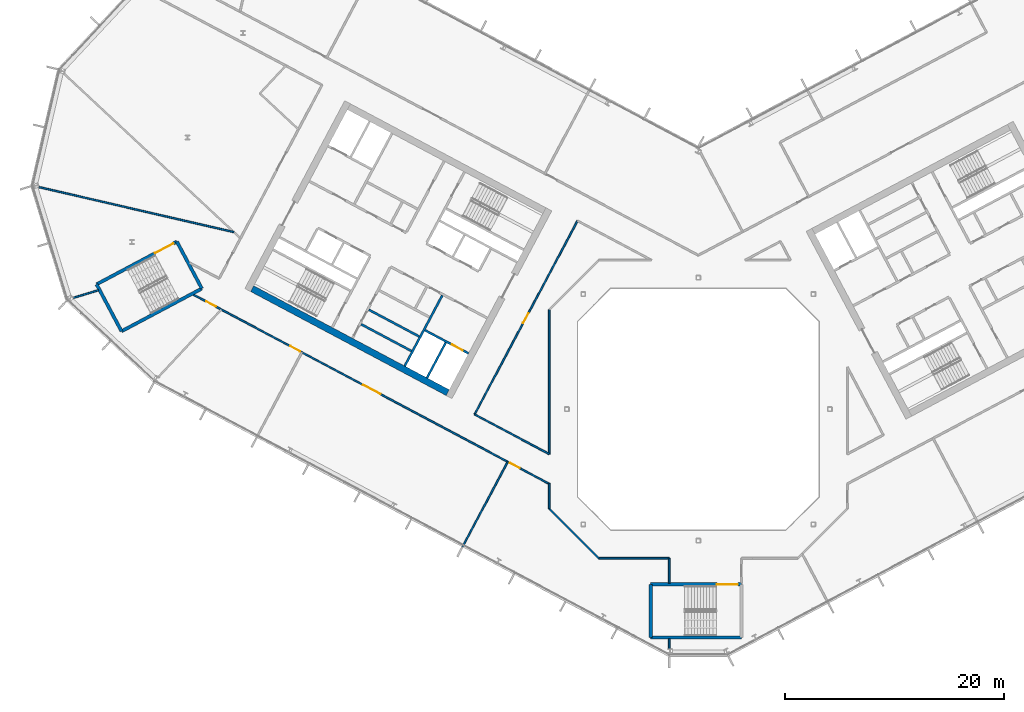
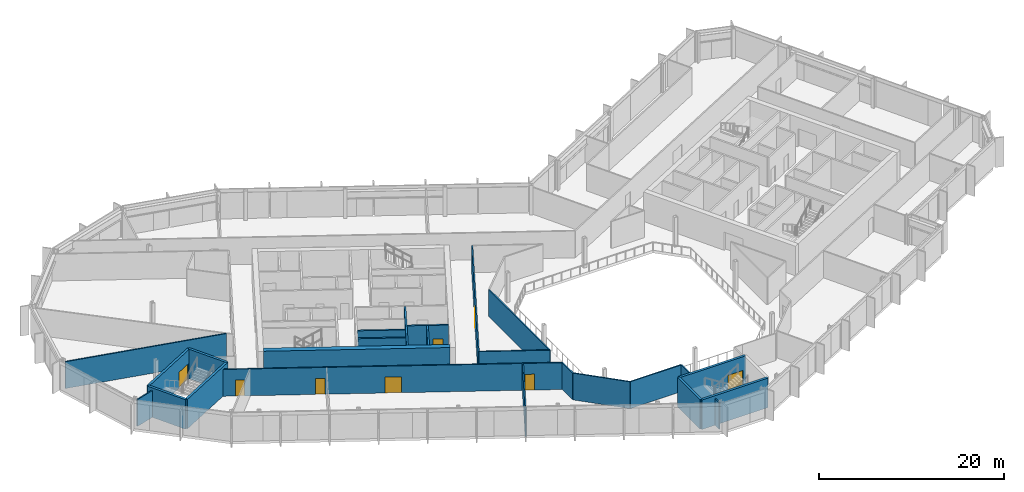
# One storey, part 12 of 26: 25 walls, 8 doors, 8 openings.
"""IFC4 building model written with IfcOpenShell, lengths in metres."""

import ifcopenshell
import ifcopenshell.guid

model = None  # the IFC model being written
_history = None  # IfcOwnerHistory: only IFC2X3 demands one
_inside = {}  # id of a spatial element -> (the spatial element, [elements in it])
_under = {}  # id of a project, library or spatial element -> (it, [spatial elements below it])
_declared = {}  # id of a project -> (the project, [libraries it declares])
_typed = {}  # id of a type object -> (the type object, [elements of that type])
_made_of = {}  # id of a material, layer set ... -> (it, [elements and type objects made of it])


def new_model(schema):
    """Start an empty IFC model of exactly this schema.

    Asked for "IFC4X3", IfcOpenShell would pick the latest addendum, in which some entities
    have other attributes; the version numbers below select the first issue.
    IFC2X3 requires an IfcOwnerHistory on every rooted entity: one is made here for all.
    """
    global model, _history
    if schema == "IFC4X3":
        model = ifcopenshell.file(schema_version=(4, 3, 0, 0))
    else:
        model = ifcopenshell.file(schema=schema)
    _inside.clear()
    _under.clear()
    _declared.clear()
    _typed.clear()
    _made_of.clear()
    _history = None
    if model.schema == "IFC2X3":
        org = make("IfcOrganization", Name="unknown")
        user = make(
            "IfcPersonAndOrganization",
            ThePerson=make("IfcPerson", FamilyName="unknown"),
            TheOrganization=org,
        )
        app = make(
            "IfcApplication",
            ApplicationDeveloper=org,
            Version="unknown",
            ApplicationFullName="unknown",
            ApplicationIdentifier="unknown",
        )
        _history = make(
            "IfcOwnerHistory",
            OwningUser=user,
            OwningApplication=app,
            ChangeAction="ADDED",
            CreationDate=0,
        )
    return model


def make(cls, **values):
    """One entity of the class cls with the attributes given. An attribute that is None is left unset."""
    return model.create_entity(
        cls, **{name: value for name, value in values.items() if value is not None}
    )


def rooted(cls, **values):
    """An entity with a GlobalId (a new one), such as an element, a storey or a relation."""
    return make(cls, GlobalId=ifcopenshell.guid.new(), OwnerHistory=_history, **values)


def si_unit(unit_type, name, prefix=None):
    """IfcSIUnit, for example si_unit("LENGTHUNIT", "METRE", prefix="MILLI")."""
    return make("IfcSIUnit", UnitType=unit_type, Prefix=prefix, Name=name)


def assignment(units):
    """IfcUnitAssignment: the units of a project."""
    return None if units is None else make("IfcUnitAssignment", Units=units)


def point(xyz):
    """IfcCartesianPoint."""
    return None if xyz is None else make("IfcCartesianPoint", Coordinates=xyz)


def direction(xyz):
    """IfcDirection."""
    return None if xyz is None else make("IfcDirection", DirectionRatios=xyz)


def frame(location, z_axis=None, x_axis=None):
    """IfcAxis2Placement3D, a coordinate frame: its origin and axes. An axis left out is left unset."""
    return make(
        "IfcAxis2Placement3D",
        Location=point(location),
        Axis=direction(z_axis),
        RefDirection=direction(x_axis),
    )


def frame_2d(location, x_axis=None):
    """IfcAxis2Placement2D, a coordinate frame in the plane: its origin and x axis."""
    return make(
        "IfcAxis2Placement2D", Location=point(location), RefDirection=direction(x_axis)
    )


def origin():
    """The frame at (0, 0, 0) with its axes left unset."""
    return frame((0.0, 0.0, 0.0))


def place(relative_to, where):
    """IfcLocalPlacement: puts the frame where relative to a parent placement (None: the world)."""
    return make(
        "IfcLocalPlacement", PlacementRelTo=relative_to, RelativePlacement=where
    )


def context(
    kind, dimensions, precision=None, world=None, true_north=None, identifier=None
):
    """IfcGeometricRepresentationContext, for example the 3D "Model" context."""
    return make(
        "IfcGeometricRepresentationContext",
        ContextIdentifier=identifier,
        ContextType=kind,
        CoordinateSpaceDimension=dimensions,
        Precision=precision,
        WorldCoordinateSystem=world,
        TrueNorth=true_north,
    )


def subcontext(parent, identifier, kind, view, scale=None):
    """IfcGeometricRepresentationSubContext, for example "Body" below "Model"."""
    return make(
        "IfcGeometricRepresentationSubContext",
        ContextIdentifier=identifier,
        ContextType=kind,
        ParentContext=parent,
        TargetScale=scale,
        TargetView=view,
    )


def project(units=None, contexts=None):
    """IfcProject with its units and contexts."""
    return rooted(
        "IfcProject",
        Name="project",
        RepresentationContexts=contexts,
        UnitsInContext=assignment(units),
    )


def spatial(cls, under=None, at=None, **own):
    """A site, building, storey or space (cls), placed at a placement, below another one or the project."""
    s = rooted(cls, ObjectPlacement=at, **own)
    if under is not None:
        _under.setdefault(under.id(), (under, []))[1].append(s)
    return s


def profile(cls, at=None, kind="AREA", **sizes):
    """A parametric profile (cls). Its sizes go by their IFC names, for example OverallWidth=200.0."""
    return make(cls, ProfileType=kind, Position=at, **sizes)


def rectangle(**sizes):
    """IfcRectangleProfileDef."""
    return profile("IfcRectangleProfileDef", **sizes)


def extrude(swept, where, along, depth):
    """IfcExtrudedAreaSolid: the profile swept, set in the frame where, extruded along a direction by depth."""
    return make(
        "IfcExtrudedAreaSolid",
        SweptArea=swept,
        Position=where,
        ExtrudedDirection=direction(along),
        Depth=depth,
    )


def shape(context_of_items, identifier, shape_type, items):
    """IfcShapeRepresentation: the items that make up one representation, for example the "Body"."""
    return make(
        "IfcShapeRepresentation",
        ContextOfItems=context_of_items,
        RepresentationIdentifier=identifier,
        RepresentationType=shape_type,
        Items=items,
    )


def material(Name=None, Category=None):
    """IfcMaterial."""
    return make("IfcMaterial", Name=Name, Category=Category)


def layer(
    of_material, thickness, ventilated=None, Name=None, Category=None, Priority=None
):
    """IfcMaterialLayer: one layer of a wall or slab, of a material (None: an air gap)."""
    return make(
        "IfcMaterialLayer",
        Material=of_material,
        LayerThickness=thickness,
        IsVentilated=ventilated,
        Name=Name,
        Category=Category,
        Priority=Priority,
    )


def layer_set(layers, Name=None):
    """IfcMaterialLayerSet."""
    return make("IfcMaterialLayerSet", MaterialLayers=layers, LayerSetName=Name)


def made_of(thing, what):
    """Note that an element or type object is made of a material, layer set ...; save() writes the relation."""
    if what is not None:
        _made_of.setdefault(what.id(), (what, []))[1].append(thing)
    return thing


def type_object(cls, material=None, **own):
    """A type object (cls), such as IfcWallType, which elements share."""
    return made_of(rooted(cls, **own), material)


def element(
    cls,
    number,
    at=None,
    inside=None,
    cuts=None,
    type_object=None,
    material=None,
    context=None,
    identifier="Body",
    shape_type=None,
    held_by="IfcProductDefinitionShape",
    body=None,
    shapes=None,
    **own,
):
    """One element of the class cls, such as IfcWall. Its Tag is "e" and its number.

    at: its placement. inside: the storey or other place that contains it. cuts: it is an
    opening in that element (IfcRelVoidsElement). A single representation is given by context,
    identifier, shape_type and body (its items); several are given by shapes. held_by: the class
    of the entity that holds the representations. save() writes the other relations.
    """
    e = rooted(cls, Tag="e%d" % number, ObjectPlacement=at, **own)
    if body is not None:
        shapes = [shape(context, identifier, shape_type, body)]
    if shapes is not None:
        e.Representation = make(held_by, Representations=shapes)
    if inside is not None:
        _inside.setdefault(inside.id(), (inside, []))[1].append(e)
    if cuts is not None:
        rooted(
            "IfcRelVoidsElement", RelatingBuildingElement=cuts, RelatedOpeningElement=e
        )
    if type_object is not None:
        _typed.setdefault(type_object.id(), (type_object, []))[1].append(e)
    return made_of(e, material)


def fill(opening, filler):
    """IfcRelFillsElement: the door or window that sits in an opening."""
    return rooted(
        "IfcRelFillsElement",
        RelatingOpeningElement=opening,
        RelatedBuildingElement=filler,
    )


def aggregate(whole, parts):
    """IfcRelAggregates: a whole, such as a stair, and the parts it consists of."""
    return rooted("IfcRelAggregates", RelatingObject=whole, RelatedObjects=parts)


def save(model, path):
    """Write the relations noted so far, then the file.

    IfcRelAggregates (storeys below a building ...), IfcRelContainedInSpatialStructure (elements
    in a storey), IfcRelDefinesByType, IfcRelAssociatesMaterial and IfcRelDeclares: one each for
    every whole, place, type object, material and project.
    """
    for whole, parts in _under.values():
        aggregate(whole, parts)
    for where, things in _inside.values():
        rooted(
            "IfcRelContainedInSpatialStructure",
            RelatedElements=things,
            RelatingStructure=where,
        )
    for kind, things in _typed.values():
        rooted("IfcRelDefinesByType", RelatedObjects=things, RelatingType=kind)
    for what, things in _made_of.values():
        rooted("IfcRelAssociatesMaterial", RelatedObjects=things, RelatingMaterial=what)
    for by, libraries in _declared.values():
        rooted("IfcRelDeclares", RelatingContext=by, RelatedDefinitions=libraries)
    model.write(path)


model = new_model("IFC4")

# Units and contexts
model_context = context("Model", 3, precision=1e-05, world=origin(), true_north=direction((0.0, 1.0)))
body_context = subcontext(model_context, "Body", "Model", "MODEL_VIEW")
ifc_project = project(units=[si_unit("LENGTHUNIT", "METRE"), si_unit("AREAUNIT", "SQUARE_METRE"), si_unit("VOLUMEUNIT", "CUBIC_METRE"), si_unit("PLANEANGLEUNIT", "RADIAN"), si_unit("MASSUNIT", "GRAM", prefix="KILO")], contexts=[model_context])

# Site, building, storey
site_placement = place(None, origin())
site = spatial("IfcSite", under=ifc_project, at=site_placement, CompositionType="ELEMENT")
building_placement = place(site_placement, origin())
building = spatial("IfcBuilding", under=site, at=building_placement, Name="Cormorant Relay Tower", CompositionType="ELEMENT")
storey_placement = place(building_placement, frame((0.0, 0.0, 236.39990234375)))
storey = spatial("IfcBuildingStorey", under=building, at=storey_placement, Name="L52", CompositionType="ELEMENT", Elevation=236.39990234375)

# Walls
ifc_material_1 = material(Name="Concrete 40 MPa", Category="concrete")
ifc_layer_1 = layer(ifc_material_1, 0.199951171875)
ifc_layer_set_1 = layer_set([ifc_layer_1], Name="Core internal wall 200")
wall_type_1 = type_object("IfcWallType", Name="Core internal wall 200", PredefinedType="SOLIDWALL", material=ifc_layer_set_1)
for number, where, z_axis, x_axis, name in (
    (1, (-25.46728515625, 6.632568359375, 0.0), (0.0, 0.0, 1.0), (-0.882953967957, 0.469459572775, 0.0), "L52 core A shaft and room wall"),
    (2, (-26.17138671875, 5.30810546875, 0.0), (0.0, 0.0, 1.0), (-0.882953967957, 0.469459572775, 0.0), "L52 core A shaft and room wall"),
):
    element("IfcWall", number, at=place(storey_placement, frame(where, z_axis=z_axis, x_axis=x_axis)), inside=storey, type_object=wall_type_1, Name=name, PredefinedType="SOLIDWALL", context=body_context, shape_type="SweptSolid", body=[
        extrude(rectangle(XDim=5.199951171875, YDim=0.199951171875, at=frame_2d((2.60009765625, 0.0))), origin(), (0.0, 0.0, 1.0), 3.900146484375),
    ])
ifc_material_2 = material(Name="Concrete 50 MPa", Category="concrete")
ifc_layer_2 = layer(ifc_material_2, 0.199951171875)
ifc_layer_set_2 = layer_set([ifc_layer_2], Name="Core shaft wall 200")
wall_type_2 = type_object("IfcWallType", Name="Core shaft wall 200", PredefinedType="SHEAR", material=ifc_layer_set_2)
wall_1_placement = place(storey_placement, frame((-23.04296875, 6.07958984375, 0.0), z_axis=(0.0, 0.0, 1.0), x_axis=(-0.469494272526, -0.882935517501, 0.0)))
element("IfcWall", 3, at=wall_1_placement, inside=storey, type_object=wall_type_2, Name="L52 core A shaft wall", PredefinedType="SHEAR", context=body_context, shape_type="SweptSolid", body=[
    extrude(rectangle(XDim=3.64990234375, YDim=0.199951171875, at=frame_2d((1.824951171875, 0.0))), origin(), (0.0, 0.0, 1.0), 3.900146484375),
])
wall_2_placement = place(storey_placement, frame((-23.360107421875, 10.38232421875, 0.0), z_axis=(0.0, 0.0, 1.0), x_axis=(-0.469480409012, -0.88294288918, 0.0)))
element("IfcWall", 4, at=wall_2_placement, inside=storey, type_object=wall_type_2, Name="L52 core A shaft wall", PredefinedType="SHEAR", context=body_context, shape_type="SweptSolid", body=[
    extrude(rectangle(XDim=7.300048828125, YDim=0.199951171875, at=frame_2d((3.64990234375, 0.0))), origin(), (0.0, 0.0, 1.0), 3.900146484375),
])

# Wall, opening, door
wall_3_placement = place(storey_placement, frame((-20.96533203125, 5.088134765625, 0.0), z_axis=(0.0, 0.0, 1.0), x_axis=(-0.882925986334, 0.469512196493, 0.0)))
wall_3 = element("IfcWall", 5, at=wall_3_placement, inside=storey, type_object=wall_type_2, Name="L52 core A shaft wall", PredefinedType="SHEAR", context=body_context, shape_type="SweptSolid", body=[
    extrude(rectangle(XDim=4.5, YDim=0.199951171875, at=frame_2d((2.25, 0.0))), origin(), (0.0, 0.0, 1.0), 3.900146484375),
])
opening_1_placement = place(wall_3_placement, frame((0.60009765625, 0.0, 0.0)))
opening_1 = element("IfcOpeningElement", 6, at=opening_1_placement, cuts=wall_3, Name="Opening LD1-063", PredefinedType="OPENING", context=body_context, shape_type="SweptSolid", body=[
    extrude(rectangle(XDim=1.10009765625, YDim=2.10009765625, at=frame_2d((0.550048828125, 1.050048828125))), frame((0.0, 0.10986328125, 0.0), z_axis=(0.0, -1.0, 0.0), x_axis=(1.0, 0.0, 0.0)), (0.0, 0.0, 1.0), 0.219970703125),
])
ifc_material_3 = material(Name="Stainless steel 316", Category="steel")
door_type_1 = type_object("IfcDoorType", Name="Lift landing door 1100x2100", OperationType="DOUBLE_DOOR_SLIDING", PredefinedType="DOOR", material=ifc_material_3)
door_1_placement = place(opening_1_placement, origin())
door_1 = element("IfcDoor", 7, at=door_1_placement, inside=storey, type_object=door_type_1, Name="FF1 landing door", OperationType="DOUBLE_DOOR_SLIDING", OverallHeight=2.10009765625, OverallWidth=1.10009765625, PredefinedType="DOOR", context=body_context, shape_type="SweptSolid", body=[
    extrude(rectangle(XDim=1.10009765625, YDim=2.10009765625, at=frame_2d((0.550048828125, 1.050048828125))), frame((0.0, 0.02490234375, 0.0), z_axis=(0.0, -1.0, 0.0), x_axis=(1.0, 0.0, 0.0)), (0.0, 0.0, 1.0), 0.050048828125),
])
fill(opening_1, door_1)

# Wall
ifc_material_4 = material(Name="Concrete 50 MPa", Category="concrete")
ifc_layer_3 = layer(ifc_material_4, 0.60009765625)
ifc_layer_set_3 = layer_set([ifc_layer_3], Name="Core wall 600")
wall_type_3 = type_object("IfcWallType", Name="Core wall 600", PredefinedType="SHEAR", material=ifc_layer_set_3)
wall_4_placement = place(storey_placement, frame((-22.86669921875, 1.51220703125, 0.0), z_axis=(0.0, 0.0, 1.0), x_axis=(-0.88294509198, 0.469476266226, 0.0)))
element("IfcWall", 8, at=wall_4_placement, inside=storey, type_object=wall_type_3, Name="L52 core A wall", PredefinedType="SHEAR", context=body_context, shape_type="SweptSolid", body=[
    extrude(rectangle(XDim=20.199951171875, YDim=0.60009765625, at=frame_2d((10.10009765625, 0.0))), origin(), (0.0, 0.0, 1.0), 3.900146484375),
])

# Wall, openings, doors
ifc_material_5 = material(Name="Gypsum board fire partition")
ifc_layer_4 = layer(ifc_material_5, 0.14990234375)
ifc_layer_set_4 = layer_set([ifc_layer_4], Name="Corridor partition 150 EI 60")
wall_type_4 = type_object("IfcWallType", Name="Corridor partition 150 EI 60", PredefinedType="PARTITIONING", material=ifc_layer_set_4)
wall_5_placement = place(storey_placement, frame((-13.60009765625, -6.81298828125, 0.0), z_axis=(0.0, 0.0, 1.0), x_axis=(-0.8829403307, 0.469485220666, 0.0)))
wall_5 = element("IfcWall", 9, at=wall_5_placement, inside=storey, type_object=wall_type_4, Name="wall/L52/part/014", PredefinedType="PARTITIONING", context=body_context, shape_type="SweptSolid", body=[
    extrude(rectangle(XDim=36.797607421875, YDim=0.14990234375, at=frame_2d((18.39892578125, 0.0))), origin(), (0.0, 0.0, 1.0), 3.5400390625),
])
opening_2_placement = place(wall_5_placement, frame((34.449951171875, 0.0, 0.0)))
opening_2 = element("IfcOpeningElement", 10, at=opening_2_placement, cuts=wall_5, Name="Opening DS-169", PredefinedType="OPENING", context=body_context, shape_type="SweptSolid", body=[
    extrude(rectangle(XDim=1.0, YDim=2.10009765625, at=frame_2d((0.5, 1.050048828125))), frame((0.0, 0.0849609375, 0.0), z_axis=(0.0, -1.0, 0.0), x_axis=(1.0, 0.0, 0.0)), (0.0, 0.0, 1.0), 0.169921875),
])
opening_3_placement = place(wall_5_placement, frame((25.75, 0.0, 0.0)))
opening_3 = element("IfcOpeningElement", 11, at=opening_3_placement, cuts=wall_5, Name="Opening DS-170", PredefinedType="OPENING", context=body_context, shape_type="SweptSolid", body=[
    extrude(rectangle(XDim=1.0, YDim=2.10009765625, at=frame_2d((0.5, 1.050048828125))), frame((0.0, 0.0849609375, 0.0), z_axis=(0.0, -1.0, 0.0), x_axis=(1.0, 0.0, 0.0)), (0.0, 0.0, 1.0), 0.169921875),
])
opening_4_placement = place(wall_5_placement, frame((17.449951171875, 0.0, 0.0)))
opening_4 = element("IfcOpeningElement", 12, at=opening_4_placement, cuts=wall_5, Name="Opening DD-030", PredefinedType="OPENING", context=body_context, shape_type="SweptSolid", body=[
    extrude(rectangle(XDim=1.800048828125, YDim=2.10009765625, at=frame_2d((0.89990234375, 1.050048828125))), frame((0.0, 0.0849609375, 0.0), z_axis=(0.0, -1.0, 0.0), x_axis=(1.0, 0.0, 0.0)), (0.0, 0.0, 1.0), 0.169921875),
])
opening_5_placement = place(wall_5_placement, frame((3.050048828125, 0.0, 0.0)))
opening_5 = element("IfcOpeningElement", 13, at=opening_5_placement, cuts=wall_5, Name="Opening DS-171", PredefinedType="OPENING", context=body_context, shape_type="SweptSolid", body=[
    extrude(rectangle(XDim=1.0, YDim=2.10009765625, at=frame_2d((0.5, 1.050048828125))), frame((0.0, 0.0849609375, 0.0), z_axis=(0.0, -1.0, 0.0), x_axis=(1.0, 0.0, 0.0)), (0.0, 0.0, 1.0), 0.169921875),
])
ifc_material_6 = material(Name="Timber door leaf", Category="wood")
door_type_2 = type_object("IfcDoorType", Name="Suite door 1000x2100", OperationType="SINGLE_SWING_LEFT", PredefinedType="DOOR", material=ifc_material_6)
door_2_placement = place(opening_2_placement, origin())
door_2 = element("IfcDoor", 14, at=door_2_placement, inside=storey, type_object=door_type_2, Name="door/L52/008", OperationType="SINGLE_SWING_LEFT", OverallHeight=2.10009765625, OverallWidth=1.0, PredefinedType="DOOR", context=body_context, shape_type="SweptSolid", body=[
    extrude(rectangle(XDim=1.0, YDim=2.10009765625, at=frame_2d((0.5, 1.050048828125))), frame((0.0, 0.02490234375, 0.0), z_axis=(0.0, -1.0, 0.0), x_axis=(1.0, 0.0, 0.0)), (0.0, 0.0, 1.0), 0.050048828125),
])
fill(opening_2, door_2)
door_3_placement = place(opening_3_placement, origin())
door_3 = element("IfcDoor", 15, at=door_3_placement, inside=storey, type_object=door_type_2, Name="door/L52/009", OperationType="SINGLE_SWING_LEFT", OverallHeight=2.10009765625, OverallWidth=1.0, PredefinedType="DOOR", context=body_context, shape_type="SweptSolid", body=[
    extrude(rectangle(XDim=1.0, YDim=2.10009765625, at=frame_2d((0.5, 1.050048828125))), frame((0.0, 0.02490234375, 0.0), z_axis=(0.0, -1.0, 0.0), x_axis=(1.0, 0.0, 0.0)), (0.0, 0.0, 1.0), 0.050048828125),
])
fill(opening_3, door_3)
door_4_placement = place(opening_5_placement, origin())
door_4 = element("IfcDoor", 16, at=door_4_placement, inside=storey, type_object=door_type_2, Name="door/L52/011", OperationType="SINGLE_SWING_RIGHT", OverallHeight=2.10009765625, OverallWidth=1.0, PredefinedType="DOOR", context=body_context, shape_type="SweptSolid", body=[
    extrude(rectangle(XDim=1.0, YDim=2.10009765625, at=frame_2d((0.5, 1.050048828125))), frame((0.0, 0.02490234375, 0.0), z_axis=(0.0, -1.0, 0.0), x_axis=(1.0, 0.0, 0.0)), (0.0, 0.0, 1.0), 0.050048828125),
])
fill(opening_5, door_4)
ifc_material_7 = material(Name="Timber door leaf", Category="wood")
door_type_3 = type_object("IfcDoorType", Name="Suite double door 1800x2100", OperationType="DOUBLE_DOOR_SINGLE_SWING", PredefinedType="DOOR", material=ifc_material_7)
door_5_placement = place(opening_4_placement, origin())
door_5 = element("IfcDoor", 17, at=door_5_placement, inside=storey, type_object=door_type_3, Name="door/L52/010", OperationType="DOUBLE_DOOR_SINGLE_SWING", OverallHeight=2.10009765625, OverallWidth=1.800048828125, PredefinedType="DOOR", context=body_context, shape_type="SweptSolid", body=[
    extrude(rectangle(XDim=1.800048828125, YDim=2.10009765625, at=frame_2d((0.89990234375, 1.050048828125))), frame((0.0, 0.02490234375, 0.0), z_axis=(0.0, -1.0, 0.0), x_axis=(1.0, 0.0, 0.0)), (0.0, 0.0, 1.0), 0.050048828125),
])
fill(opening_4, door_5)

# Walls
wall_6_placement = place(storey_placement, frame((-2.64892578125, -13.60009765625, 0.0), z_axis=(0.0, 0.0, 1.0), x_axis=(-1.0, 0.0, 0.0)))
element("IfcWall", 18, at=wall_6_placement, inside=storey, type_object=wall_type_4, Name="wall/L52/part/019", PredefinedType="PARTITIONING", context=body_context, shape_type="SweptSolid", body=[
    extrude(rectangle(XDim=6.427978515625, YDim=0.14990234375, at=frame_2d((3.2138671875, 0.0))), origin(), (0.0, 0.0, 1.0), 3.5400390625),
])
wall_7_placement = place(storey_placement, frame((-9.076904296875, -13.60009765625, 0.0), z_axis=(0.0, 0.0, 1.0), x_axis=(-0.707106781187, 0.707106781187, 0.0)))
element("IfcWall", 19, at=wall_7_placement, inside=storey, type_object=wall_type_4, Name="wall/L52/part/020", PredefinedType="PARTITIONING", context=body_context, shape_type="SweptSolid", body=[
    extrude(rectangle(XDim=6.396728515625, YDim=0.14990234375, at=frame_2d((3.1982421875, 0.0))), origin(), (0.0, 0.0, 1.0), 3.5400390625),
])
wall_8_placement = place(storey_placement, frame((-13.60009765625, -9.076904296875, 0.0), z_axis=(0.0, 0.0, 1.0), x_axis=(0.0, 1.0, 0.0)))
element("IfcWall", 20, at=wall_8_placement, inside=storey, type_object=wall_type_4, Name="wall/L52/part/021", PredefinedType="PARTITIONING", context=body_context, shape_type="SweptSolid", body=[
    extrude(rectangle(XDim=2.31396484375, YDim=0.14990234375, at=frame_2d((1.156982421875, 0.0))), origin(), (0.0, 0.0, 1.0), 3.5400390625),
])
wall_9_placement = place(storey_placement, frame((-2.64892578125, -13.60009765625, 0.0), z_axis=(0.0, 0.0, 1.0), x_axis=(0.0, -1.0, 0.0)))
element("IfcWall", 21, at=wall_9_placement, inside=storey, type_object=wall_type_4, Name="wall/L52/part/023", PredefinedType="PARTITIONING", context=body_context, shape_type="SweptSolid", body=[
    extrude(rectangle(XDim=2.27490234375, YDim=0.14990234375, at=frame_2d((1.137451171875, 0.0))), origin(), (0.0, 0.0, 1.0), 3.5400390625),
])

# Wall, opening, door
wall_10_placement = place(storey_placement, frame((-20.410888671875, -0.472900390625, 0.0), z_axis=(0.0, 0.0, 1.0), x_axis=(0.469451816494, 0.882958091865, 0.0)))
wall_10 = element("IfcWall", 22, at=wall_10_placement, inside=storey, type_object=wall_type_4, Name="wall/L52/part/045", PredefinedType="PARTITIONING", context=body_context, shape_type="SweptSolid", body=[
    extrude(rectangle(XDim=19.999755859375, YDim=0.14990234375, at=frame_2d((10.0, 0.0))), origin(), (0.0, 0.0, 1.0), 3.5400390625),
])
opening_6_placement = place(wall_10_placement, frame((9.449951171875, 0.0, 0.0)))
opening_6 = element("IfcOpeningElement", 23, at=opening_6_placement, cuts=wall_10, Name="Opening DS-132", PredefinedType="OPENING", context=body_context, shape_type="SweptSolid", body=[
    extrude(rectangle(XDim=1.0, YDim=2.10009765625, at=frame_2d((0.5, 1.050048828125))), frame((0.0, 0.0849609375, 0.0), z_axis=(0.0, -1.0, 0.0), x_axis=(1.0, 0.0, 0.0)), (0.0, 0.0, 1.0), 0.169921875),
])
door_6_placement = place(opening_6_placement, frame((1.0, 0.0, 0.0), z_axis=(0.0, 0.0, 1.0), x_axis=(-1.0, 0.0, 0.0)))
door_6 = element("IfcDoor", 24, at=door_6_placement, inside=storey, type_object=door_type_2, Name="door/L52/012", OperationType="SINGLE_SWING_LEFT", OverallHeight=2.10009765625, OverallWidth=1.0, PredefinedType="DOOR", context=body_context, shape_type="SweptSolid", body=[
    extrude(rectangle(XDim=1.0, YDim=2.10009765625, at=frame_2d((0.5, 1.050048828125))), frame((0.0, 0.02490234375, 0.0), z_axis=(0.0, -1.0, 0.0), x_axis=(1.0, 0.0, 0.0)), (0.0, 0.0, 1.0), 0.050048828125),
])
fill(opening_6, door_6)

# Walls
wall_11_placement = place(storey_placement, frame((-13.60009765625, 9.076904296875, 0.0), z_axis=(0.0, 0.0, 1.0), x_axis=(0.0, -1.0, 0.0)))
element("IfcWall", 25, at=wall_11_placement, inside=storey, type_object=wall_type_4, Name="wall/L52/part/049", PredefinedType="PARTITIONING", context=body_context, shape_type="SweptSolid", body=[
    extrude(rectangle(XDim=13.1708984375, YDim=0.14990234375, at=frame_2d((6.58544921875, 0.0))), origin(), (0.0, 0.0, 1.0), 3.5400390625),
])
wall_12_placement = place(storey_placement, frame((-13.60009765625, -4.093994140625, 0.0), z_axis=(0.0, 0.0, 1.0), x_axis=(-0.882961998231, 0.469444469218, 0.0)))
element("IfcWall", 26, at=wall_12_placement, inside=storey, type_object=wall_type_4, Name="wall/L52/part/050", PredefinedType="PARTITIONING", context=body_context, shape_type="SweptSolid", body=[
    extrude(rectangle(XDim=7.713623046875, YDim=0.14990234375, at=frame_2d((3.85693359375, 0.0))), origin(), (0.0, 0.0, 1.0), 3.5400390625),
])
ifc_material_8 = material(Name="Concrete 50 MPa", Category="concrete")
ifc_layer_5 = layer(ifc_material_8, 0.300048828125)
ifc_layer_set_5 = layer_set([ifc_layer_5], Name="Remote stair wall 300")
wall_type_5 = type_object("IfcWallType", Name="Remote stair wall 300", PredefinedType="SHEAR", material=ifc_layer_set_5)
wall_13_placement = place(storey_placement, frame((3.949951171875, -20.824951171875, 0.0), z_axis=(0.0, 0.0, 1.0), x_axis=(-1.0, 0.0, 0.0)))
element("IfcWall", 27, at=wall_13_placement, inside=storey, type_object=wall_type_5, Name="L52 exit stair RK1 wall", PredefinedType="SHEAR", context=body_context, shape_type="SweptSolid", body=[
    extrude(rectangle(XDim=8.300048828125, YDim=0.300048828125, at=frame_2d((4.14990234375, 0.0))), origin(), (0.0, 0.0, 1.0), 3.900146484375),
])
wall_14_placement = place(storey_placement, frame((-4.35009765625, -20.824951171875, 0.0), z_axis=(0.0, 0.0, 1.0), x_axis=(0.0, 1.0, 0.0)))
element("IfcWall", 28, at=wall_14_placement, inside=storey, type_object=wall_type_5, Name="L52 exit stair RK1 wall", PredefinedType="SHEAR", context=body_context, shape_type="SweptSolid", body=[
    extrude(rectangle(XDim=4.849853515625, YDim=0.300048828125, at=frame_2d((2.4248046875, 0.0))), origin(), (0.0, 0.0, 1.0), 3.900146484375),
])

# Wall, opening, door
wall_15_placement = place(storey_placement, frame((-4.35009765625, -15.97509765625, 0.0), z_axis=(0.0, 0.0, 1.0), x_axis=(1.0, 0.0, 0.0)))
wall_15 = element("IfcWall", 29, at=wall_15_placement, inside=storey, type_object=wall_type_5, Name="L52 exit stair RK1 wall", PredefinedType="SHEAR", context=body_context, shape_type="SweptSolid", body=[
    extrude(rectangle(XDim=8.300048828125, YDim=0.300048828125, at=frame_2d((4.14990234375, 0.0))), origin(), (0.0, 0.0, 1.0), 3.900146484375),
])
opening_7_placement = place(wall_15_placement, frame((6.050048828125, 0.0, 0.0)))
opening_7 = element("IfcOpeningElement", 30, at=opening_7_placement, cuts=wall_15, Name="Opening CDE-014", PredefinedType="OPENING", context=body_context, shape_type="SweptSolid", body=[
    extrude(rectangle(XDim=1.89990234375, YDim=2.10009765625, at=frame_2d((0.949951171875, 1.050048828125))), frame((0.0, 0.159912109375, 0.0), z_axis=(0.0, -1.0, 0.0), x_axis=(1.0, 0.0, 0.0)), (0.0, 0.0, 1.0), 0.320068359375),
])
ifc_material_9 = material(Name="Steel fire door", Category="steel")
door_type_4 = type_object("IfcDoorType", Name="Remote stair door 1900x2100", OperationType="DOUBLE_DOOR_SINGLE_SWING", PredefinedType="DOOR", material=ifc_material_9)
door_7_placement = place(opening_7_placement, frame((1.89990234375, 0.0, 0.0), z_axis=(0.0, 0.0, 1.0), x_axis=(-1.0, 0.0, 0.0)))
door_7 = element("IfcDoor", 31, at=door_7_placement, inside=storey, type_object=door_type_4, Name="Exit stair RK1 door", OperationType="DOUBLE_DOOR_SINGLE_SWING", OverallHeight=2.10009765625, OverallWidth=1.89990234375, PredefinedType="DOOR", context=body_context, shape_type="SweptSolid", body=[
    extrude(rectangle(XDim=1.89990234375, YDim=2.10009765625, at=frame_2d((0.949951171875, 1.050048828125))), frame((0.0, 0.02490234375, 0.0), z_axis=(0.0, -1.0, 0.0), x_axis=(1.0, 0.0, 0.0)), (0.0, 0.0, 1.0), 0.050048828125),
])
fill(opening_7, door_7)

# Walls
wall_16_placement = place(storey_placement, frame((-47.57421875, 15.28955078125, 0.0), z_axis=(0.0, 0.0, 1.0), x_axis=(0.469443498566, -0.882962514297, 0.0)))
element("IfcWall", 32, at=wall_16_placement, inside=storey, type_object=wall_type_5, Name="L52 exit stair RP1 wall", PredefinedType="SHEAR", context=body_context, shape_type="SweptSolid", body=[
    extrude(rectangle(XDim=4.85009765625, YDim=0.300048828125, at=frame_2d((2.425048828125, 0.0))), origin(), (0.0, 0.0, 1.0), 3.900146484375),
])
wall_17_placement = place(storey_placement, frame((-45.29736328125, 11.007080078125, 0.0), z_axis=(0.0, 0.0, 1.0), x_axis=(-0.882951519127, -0.469464178475, 0.0)))
element("IfcWall", 33, at=wall_17_placement, inside=storey, type_object=wall_type_5, Name="L52 exit stair RP1 wall", PredefinedType="SHEAR", context=body_context, shape_type="SweptSolid", body=[
    extrude(rectangle(XDim=8.2998046875, YDim=0.300048828125, at=frame_2d((4.14990234375, 0.0))), origin(), (0.0, 0.0, 1.0), 3.900146484375),
])
wall_18_placement = place(storey_placement, frame((-52.625732421875, 7.110595703125, 0.0), z_axis=(0.0, 0.0, 1.0), x_axis=(-0.469464364128, 0.882951420416, 0.0)))
element("IfcWall", 34, at=wall_18_placement, inside=storey, type_object=wall_type_5, Name="L52 exit stair RP1 wall", PredefinedType="SHEAR", context=body_context, shape_type="SweptSolid", body=[
    extrude(rectangle(XDim=4.849853515625, YDim=0.300048828125, at=frame_2d((2.4248046875, 0.0))), origin(), (0.0, 0.0, 1.0), 3.900146484375),
])

# Wall, opening, door
wall_19_placement = place(storey_placement, frame((-54.902587890625, 11.392822265625, 0.0), z_axis=(0.0, 0.0, 1.0), x_axis=(0.882939326045, 0.469487110071, 0.0)))
wall_19 = element("IfcWall", 35, at=wall_19_placement, inside=storey, type_object=wall_type_5, Name="L52 exit stair RP1 wall", PredefinedType="SHEAR", context=body_context, shape_type="SweptSolid", body=[
    extrude(rectangle(XDim=8.300048828125, YDim=0.300048828125, at=frame_2d((4.14990234375, 0.0))), origin(), (0.0, 0.0, 1.0), 3.900146484375),
])
opening_8_placement = place(wall_19_placement, frame((6.050048828125, 0.0, 0.0)))
opening_8 = element("IfcOpeningElement", 36, at=opening_8_placement, cuts=wall_19, Name="Opening CDE-015", PredefinedType="OPENING", context=body_context, shape_type="SweptSolid", body=[
    extrude(rectangle(XDim=1.89990234375, YDim=2.10009765625, at=frame_2d((0.949951171875, 1.050048828125))), frame((0.0, 0.159912109375, 0.0), z_axis=(0.0, -1.0, 0.0), x_axis=(1.0, 0.0, 0.0)), (0.0, 0.0, 1.0), 0.320068359375),
])
door_8_placement = place(opening_8_placement, frame((1.89990234375, 0.0, 0.0), z_axis=(0.0, 0.0, 1.0), x_axis=(-1.0, 0.0, 0.0)))
door_8 = element("IfcDoor", 37, at=door_8_placement, inside=storey, type_object=door_type_4, Name="Exit stair RP1 door", OperationType="DOUBLE_DOOR_SINGLE_SWING", OverallHeight=2.10009765625, OverallWidth=1.89990234375, PredefinedType="DOOR", context=body_context, shape_type="SweptSolid", body=[
    extrude(rectangle(XDim=1.89990234375, YDim=2.10009765625, at=frame_2d((0.949951171875, 1.050048828125))), frame((0.0, 0.02490234375, 0.0), z_axis=(0.0, -1.0, 0.0), x_axis=(1.0, 0.0, 0.0)), (0.0, 0.0, 1.0), 0.050048828125),
])
fill(opening_8, door_8)

# Walls
ifc_material_10 = material(Name="Gypsum board partition")
ifc_layer_6 = layer(ifc_material_10, 0.14990234375)
ifc_layer_set_6 = layer_set([ifc_layer_6], Name="Tenant partition 150")
wall_type_6 = type_object("IfcWallType", Name="Tenant partition 150", PredefinedType="PARTITIONING", material=ifc_layer_set_6)
wall_20_placement = place(storey_placement, frame((-60.162109375, 20.264892578125, 0.0), z_axis=(0.0, 0.0, 1.0), x_axis=(0.974367298847, -0.224963034603, 0.0)))
element("IfcWall", 38, at=wall_20_placement, inside=storey, type_object=wall_type_6, Name="wall/L52/part/001", PredefinedType="PARTITIONING", context=body_context, shape_type="SweptSolid", body=[
    extrude(rectangle(XDim=18.256103515625, YDim=0.14990234375, at=frame_2d((9.1279296875, 0.0))), origin(), (0.0, 0.0, 1.0), 3.5400390625),
])
wall_21_placement = place(storey_placement, frame((-54.73193359375, 10.85693359375, 0.0), z_axis=(0.0, 0.0, 1.0), x_axis=(-0.956308315689, -0.292360061129, 0.0)))
element("IfcWall", 39, at=wall_21_placement, inside=storey, type_object=wall_type_6, Name="wall/L52/part/005", PredefinedType="PARTITIONING", context=body_context, shape_type="SweptSolid", body=[
    extrude(rectangle(XDim=2.36669921875, YDim=0.14990234375, at=frame_2d((1.183349609375, 0.0))), origin(), (0.0, 0.0, 1.0), 3.5400390625),
])
wall_22_placement = place(storey_placement, frame((-17.387939453125, -4.798095703125, 0.0), z_axis=(0.0, 0.0, 1.0), x_axis=(-0.469532456729, -0.882915212281, 0.0)))
element("IfcWall", 40, at=wall_22_placement, inside=storey, type_object=wall_type_6, Name="wall/L52/part/017", PredefinedType="PARTITIONING", context=body_context, shape_type="SweptSolid", body=[
    extrude(rectangle(XDim=8.80029296875, YDim=0.14990234375, at=frame_2d((4.400146484375, 0.0))), origin(), (0.0, 0.0, 1.0), 3.5400390625),
])
wall_23_placement = place(storey_placement, frame((-2.64892578125, -20.925048828125, 0.0), z_axis=(0.0, 0.0, 1.0), x_axis=(0.0, -1.0, 0.0)))
element("IfcWall", 41, at=wall_23_placement, inside=storey, type_object=wall_type_6, Name="wall/L52/part/024", PredefinedType="PARTITIONING", context=body_context, shape_type="SweptSolid", body=[
    extrude(rectangle(XDim=0.94189453125, YDim=0.14990234375, at=frame_2d((0.470947265625, 0.0))), origin(), (0.0, 0.0, 1.0), 3.5400390625),
])

save(model, "model.ifc")
